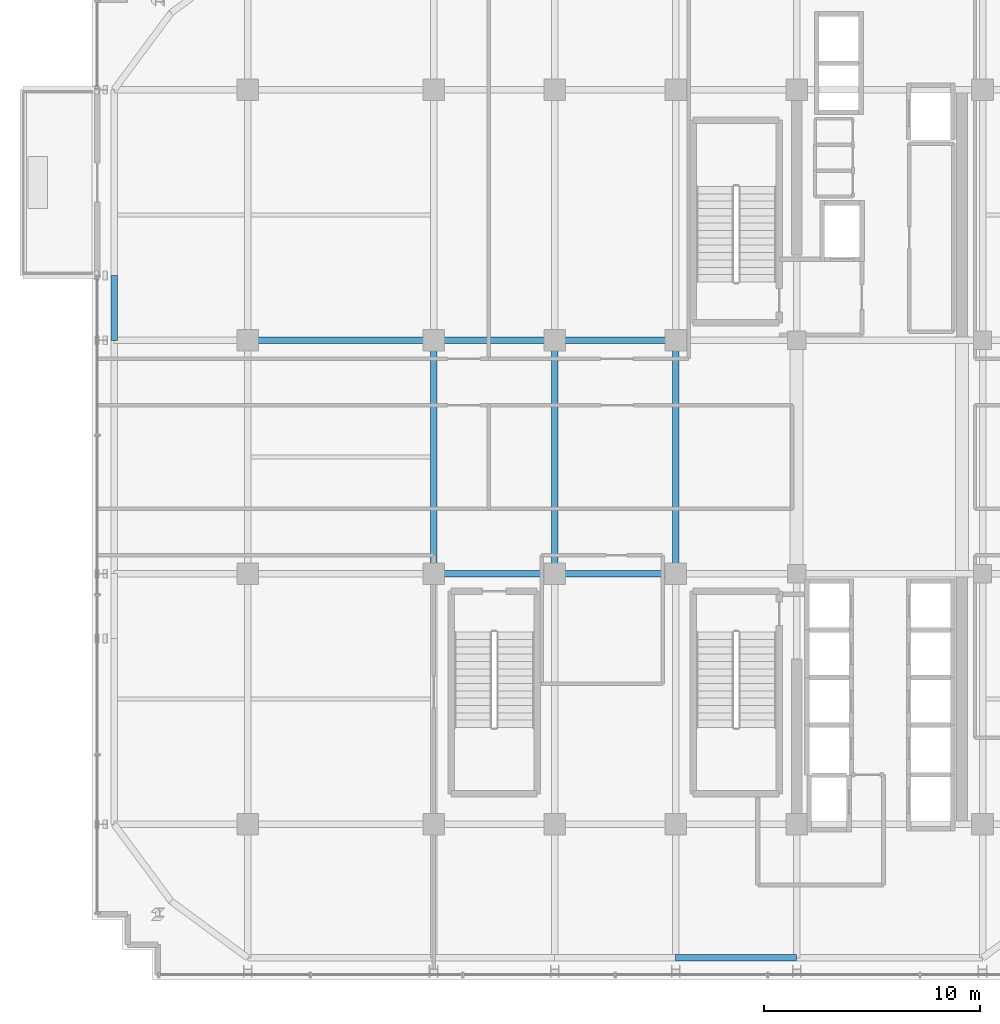
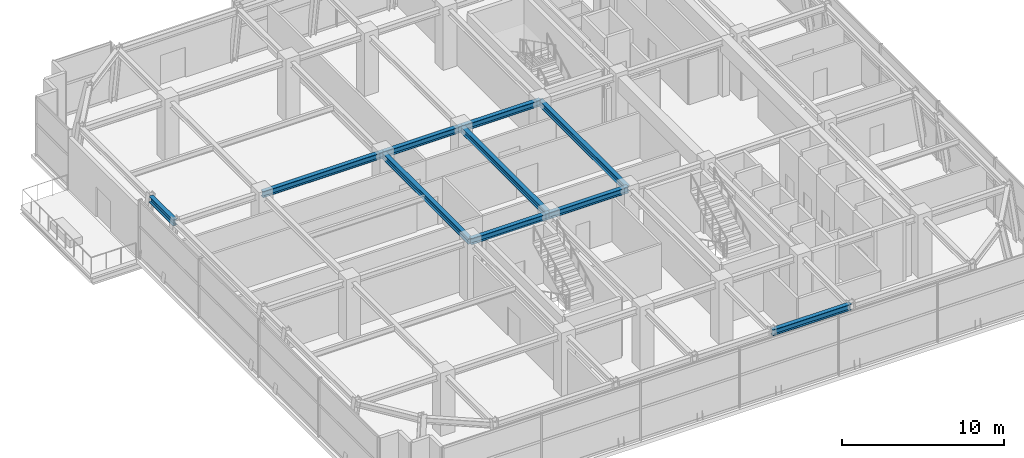
# One storey, part 7 of 28: 10 beams.
"""IFC4 building model written with IfcOpenShell, lengths in metres."""

from ifc_helpers import new_model, si_unit, direction, frame, origin, origin_2d, place, context, subcontext, project, spatial, i_section, extrude, source, transform, mapped, material, material_profile, profile_set, type_object, element, save


model = new_model("IFC4")

# Units and contexts
model_context = context("Model", 3, precision=1e-05, world=origin(), true_north=direction((0.0, 1.0)))
body_context = subcontext(model_context, "Body", "Model", "MODEL_VIEW")
ifc_project = project(units=[si_unit("LENGTHUNIT", "METRE"), si_unit("AREAUNIT", "SQUARE_METRE"), si_unit("VOLUMEUNIT", "CUBIC_METRE"), si_unit("PLANEANGLEUNIT", "RADIAN"), si_unit("MASSUNIT", "GRAM", prefix="KILO")], contexts=[model_context])

# Site, building, storey
site_placement = place(None, origin())
site = spatial("IfcSite", under=ifc_project, at=site_placement, CompositionType="ELEMENT")
building_placement = place(site_placement, origin())
building = spatial("IfcBuilding", under=site, at=building_placement, Name="Nahalor Promenade Grand Hotel", CompositionType="ELEMENT")
storey_placement = place(building_placement, frame((0.0, 0.0, 256.699951171875)))
storey = spatial("IfcBuildingStorey", under=building, at=storey_placement, Name="L66", CompositionType="ELEMENT", Elevation=256.699951171875)

# Beams
ifc_material = material(Name="Steel S355JR", Category="steel")
ifc_material_profile_1 = material_profile(ifc_material, i_section(OverallWidth=0.3, OverallDepth=0.45, WebThickness=0.014, FlangeThickness=0.026, at=origin_2d()), Name="HEB 450")
ifc_profile_set_1 = profile_set([ifc_material_profile_1], Name="Steel S355JR")
beam_type_1 = type_object("IfcBeamType", Name="Beam-Spandrel-HEB450", PredefinedType="SPANDREL", material=ifc_profile_set_1)
shared_shape_1 = source(origin(), body_context, "Body", "SweptSolid", [
    extrude(i_section(OverallWidth=0.3, OverallDepth=0.45, WebThickness=0.014, FlangeThickness=0.026, at=origin_2d()), origin(), (0.0, 0.0, 1.0), 5.599853515625),
])
beam_1_placement = place(storey_placement, frame((2.800048828125, -23.179931640625, 4.215087890625), z_axis=(1.0, 0.0, 0.0), x_axis=(0.0, 1.0, 0.0)))
element("IfcBeam", 1, at=beam_1_placement, inside=storey, type_object=beam_type_1, Name="BM-L66-SP-S-3", PredefinedType="SPANDREL", context=body_context, shape_type="MappedRepresentation", body=[
    mapped(shared_shape_1, transform((0.0, 0.0, 0.0), scale=1.0)),
])
shared_shape_2 = source(origin(), body_context, "Body", "SweptSolid", [
    extrude(i_section(OverallWidth=0.3, OverallDepth=0.45, WebThickness=0.014, FlangeThickness=0.026, at=origin_2d()), origin(), (0.0, 0.0, 1.0), 3.0),
])
beam_2_placement = place(storey_placement, frame((-23.179931640625, 5.39990234375, 4.215087890625), z_axis=(0.0, 1.0, 0.0), x_axis=(-1.0, 0.0, 0.0)))
element("IfcBeam", 2, at=beam_2_placement, inside=storey, type_object=beam_type_1, Name="BM-L66-SP-W-3", PredefinedType="SPANDREL", context=body_context, shape_type="MappedRepresentation", body=[
    mapped(shared_shape_2, transform((0.0, 0.0, 0.0), scale=1.0)),
])
ifc_material_profile_2 = material_profile(ifc_material, i_section(OverallWidth=0.3, OverallDepth=0.45, WebThickness=0.014, FlangeThickness=0.026, at=origin_2d()), Name="HEB 450")
ifc_profile_set_2 = profile_set([ifc_material_profile_2], Name="Steel S355JR")
beam_type_2 = type_object("IfcBeamType", Name="Beam-Girder-HEB450", PredefinedType="BEAM", material=ifc_profile_set_2)
shared_shape_3 = source(origin(), body_context, "Body", "SweptSolid", [
    extrude(i_section(OverallWidth=0.3, OverallDepth=0.45, WebThickness=0.014, FlangeThickness=0.026, at=origin_2d()), origin(), (0.0, 0.0, 1.0), 8.60009765625),
])
beam_3_placement = place(storey_placement, frame((-17.0, 5.39990234375, 4.215087890625), z_axis=(1.0, 0.0, 0.0), x_axis=(0.0, 1.0, 0.0)))
element("IfcBeam", 3, at=beam_3_placement, inside=storey, type_object=beam_type_2, Name="BM-L66-GX-2-1", PredefinedType="BEAM", context=body_context, shape_type="MappedRepresentation", body=[
    mapped(shared_shape_3, transform((0.0, 0.0, 0.0), scale=1.0)),
])
shared_shape_4 = source(origin(), body_context, "Body", "SweptSolid", [
    extrude(i_section(OverallWidth=0.3, OverallDepth=0.45, WebThickness=0.014, FlangeThickness=0.026, at=origin_2d()), origin(), (0.0, 0.0, 1.0), 5.599853515625),
])
for number, where, z_axis, x_axis, name in (
    (4, (-8.39990234375, -5.39990234375, 4.215087890625), (1.0, 0.0, 0.0), (0.0, 1.0, 0.0), "BM-L66-GX-1-2"),
    (5, (-8.39990234375, 5.39990234375, 4.215087890625), (1.0, 0.0, 0.0), (0.0, 1.0, 0.0), "BM-L66-GX-2-2"),
):
    element("IfcBeam", number, at=place(storey_placement, frame(where, z_axis=z_axis, x_axis=x_axis)), inside=storey, type_object=beam_type_2, Name=name, PredefinedType="BEAM", context=body_context, shape_type="MappedRepresentation", body=[
        mapped(shared_shape_4, transform((0.0, 0.0, 0.0), scale=1.0)),
    ])
shared_shape_5 = source(origin(), body_context, "Body", "SweptSolid", [
    extrude(i_section(OverallWidth=0.3, OverallDepth=0.45, WebThickness=0.014, FlangeThickness=0.026, at=origin_2d()), origin(), (0.0, 0.0, 1.0), 5.60009765625),
])
for number, where, z_axis, x_axis, name in (
    (6, (-2.800048828125, -5.39990234375, 4.215087890625), (1.0, 0.0, 0.0), (0.0, 1.0, 0.0), "BM-L66-GX-1-3"),
    (7, (-2.800048828125, 5.39990234375, 4.215087890625), (1.0, 0.0, 0.0), (0.0, 1.0, 0.0), "BM-L66-GX-2-3"),
):
    element("IfcBeam", number, at=place(storey_placement, frame(where, z_axis=z_axis, x_axis=x_axis)), inside=storey, type_object=beam_type_2, Name=name, PredefinedType="BEAM", context=body_context, shape_type="MappedRepresentation", body=[
        mapped(shared_shape_5, transform((0.0, 0.0, 0.0), scale=1.0)),
    ])
shared_shape_6 = source(origin(), body_context, "Body", "SweptSolid", [
    extrude(i_section(OverallWidth=0.3, OverallDepth=0.45, WebThickness=0.014, FlangeThickness=0.026, at=origin_2d()), origin(), (0.0, 0.0, 1.0), 10.7998046875),
])
for number, where, z_axis, x_axis, name in (
    (8, (-8.39990234375, -5.39990234375, 4.215087890625), (0.0, 1.0, 0.0), (-1.0, 0.0, 0.0), "BM-L66-GY-1-2"),
    (9, (-2.800048828125, -5.39990234375, 4.215087890625), (0.0, 1.0, 0.0), (-1.0, 0.0, 0.0), "BM-L66-GY-2-2"),
    (10, (2.800048828125, -5.39990234375, 4.215087890625), (0.0, 1.0, 0.0), (-1.0, 0.0, 0.0), "BM-L66-GY-3-2"),
):
    element("IfcBeam", number, at=place(storey_placement, frame(where, z_axis=z_axis, x_axis=x_axis)), inside=storey, type_object=beam_type_2, Name=name, PredefinedType="BEAM", context=body_context, shape_type="MappedRepresentation", body=[
        mapped(shared_shape_6, transform((0.0, 0.0, 0.0), scale=1.0)),
    ])

save(model, "model.ifc")
